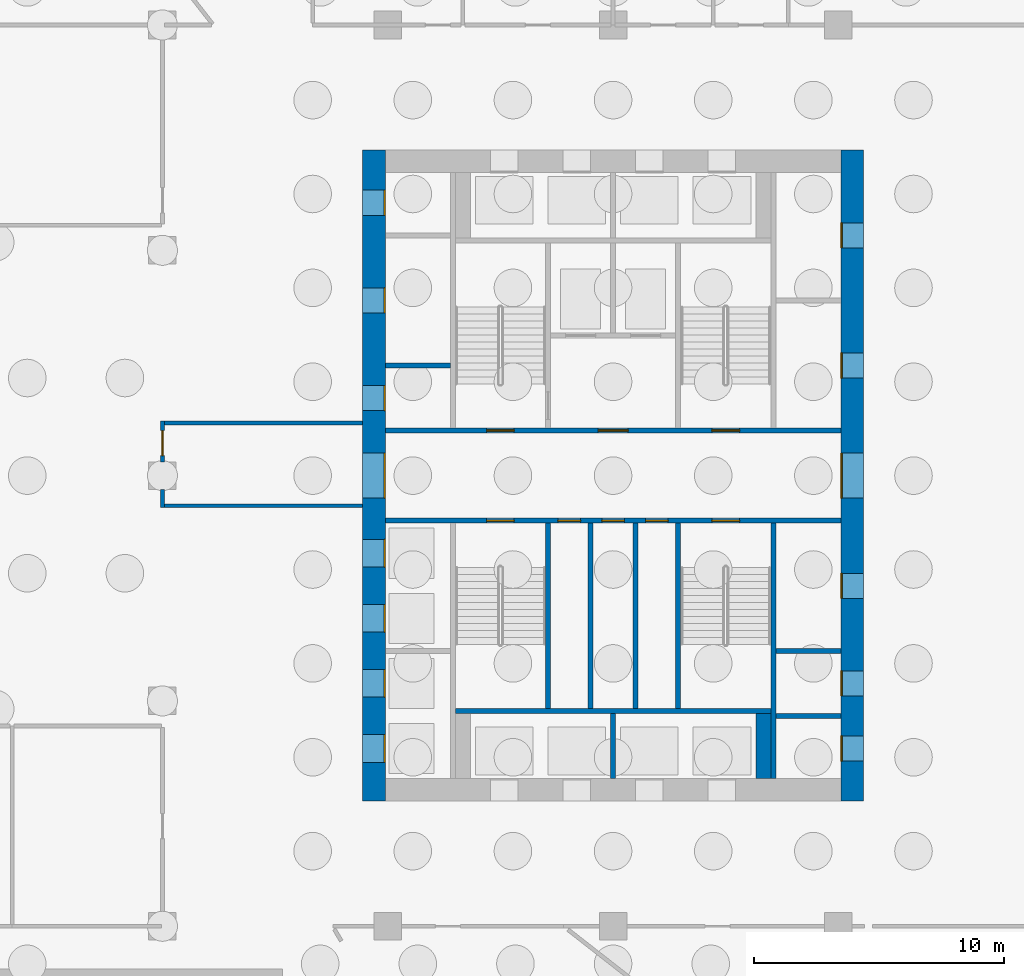
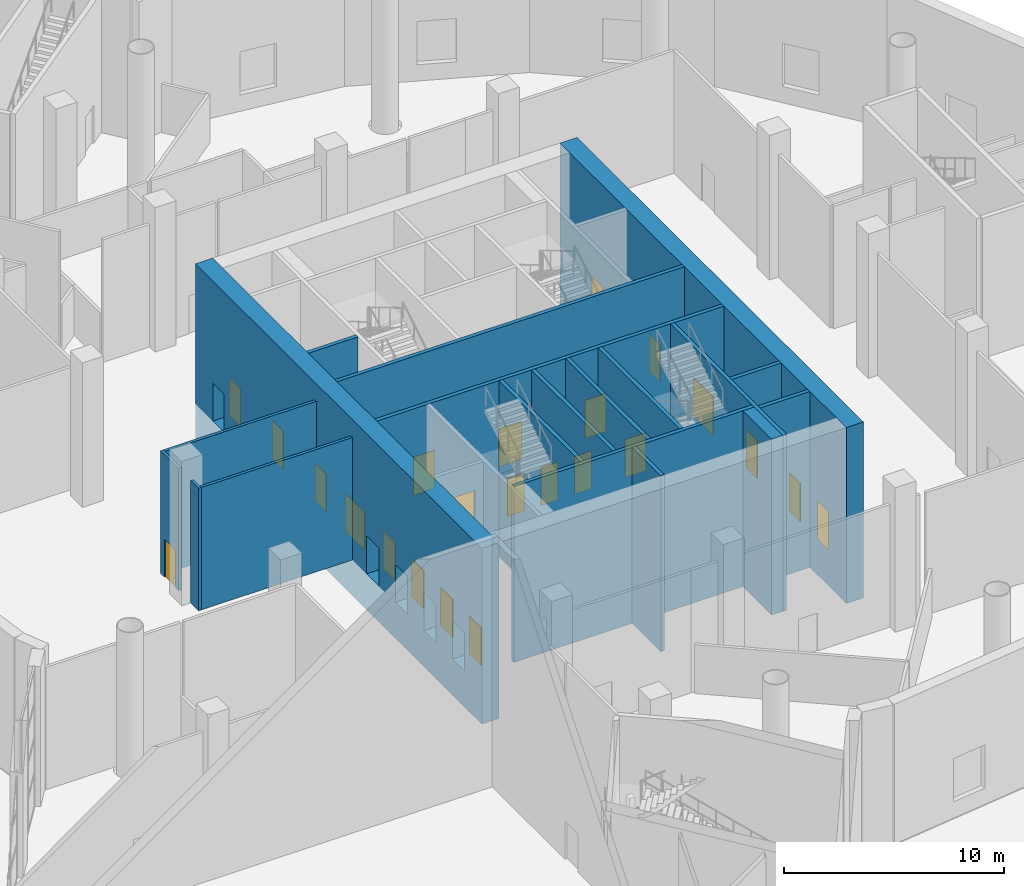
# One storey, part 13 of 34: 23 doors, 19 walls, 23 openings.
"""IFC4 building model written with IfcOpenShell, lengths in metres."""

import ifcopenshell
import ifcopenshell.guid

model = None  # the IFC model being written
_history = None  # IfcOwnerHistory: only IFC2X3 demands one
_inside = {}  # id of a spatial element -> (the spatial element, [elements in it])
_under = {}  # id of a project, library or spatial element -> (it, [spatial elements below it])
_declared = {}  # id of a project -> (the project, [libraries it declares])
_typed = {}  # id of a type object -> (the type object, [elements of that type])
_made_of = {}  # id of a material, layer set ... -> (it, [elements and type objects made of it])


def new_model(schema):
    """Start an empty IFC model of exactly this schema.

    Asked for "IFC4X3", IfcOpenShell would pick the latest addendum, in which some entities
    have other attributes; the version numbers below select the first issue.
    IFC2X3 requires an IfcOwnerHistory on every rooted entity: one is made here for all.
    """
    global model, _history
    if schema == "IFC4X3":
        model = ifcopenshell.file(schema_version=(4, 3, 0, 0))
    else:
        model = ifcopenshell.file(schema=schema)
    _inside.clear()
    _under.clear()
    _declared.clear()
    _typed.clear()
    _made_of.clear()
    _history = None
    if model.schema == "IFC2X3":
        org = make("IfcOrganization", Name="unknown")
        user = make(
            "IfcPersonAndOrganization",
            ThePerson=make("IfcPerson", FamilyName="unknown"),
            TheOrganization=org,
        )
        app = make(
            "IfcApplication",
            ApplicationDeveloper=org,
            Version="unknown",
            ApplicationFullName="unknown",
            ApplicationIdentifier="unknown",
        )
        _history = make(
            "IfcOwnerHistory",
            OwningUser=user,
            OwningApplication=app,
            ChangeAction="ADDED",
            CreationDate=0,
        )
    return model


def make(cls, **values):
    """One entity of the class cls with the attributes given. An attribute that is None is left unset."""
    return model.create_entity(
        cls, **{name: value for name, value in values.items() if value is not None}
    )


def rooted(cls, **values):
    """An entity with a GlobalId (a new one), such as an element, a storey or a relation."""
    return make(cls, GlobalId=ifcopenshell.guid.new(), OwnerHistory=_history, **values)


def si_unit(unit_type, name, prefix=None):
    """IfcSIUnit, for example si_unit("LENGTHUNIT", "METRE", prefix="MILLI")."""
    return make("IfcSIUnit", UnitType=unit_type, Prefix=prefix, Name=name)


def assignment(units):
    """IfcUnitAssignment: the units of a project."""
    return None if units is None else make("IfcUnitAssignment", Units=units)


def point(xyz):
    """IfcCartesianPoint."""
    return None if xyz is None else make("IfcCartesianPoint", Coordinates=xyz)


def direction(xyz):
    """IfcDirection."""
    return None if xyz is None else make("IfcDirection", DirectionRatios=xyz)


def frame(location, z_axis=None, x_axis=None):
    """IfcAxis2Placement3D, a coordinate frame: its origin and axes. An axis left out is left unset."""
    return make(
        "IfcAxis2Placement3D",
        Location=point(location),
        Axis=direction(z_axis),
        RefDirection=direction(x_axis),
    )


def frame_2d(location, x_axis=None):
    """IfcAxis2Placement2D, a coordinate frame in the plane: its origin and x axis."""
    return make(
        "IfcAxis2Placement2D", Location=point(location), RefDirection=direction(x_axis)
    )


def origin():
    """The frame at (0, 0, 0) with its axes left unset."""
    return frame((0.0, 0.0, 0.0))


def place(relative_to, where):
    """IfcLocalPlacement: puts the frame where relative to a parent placement (None: the world)."""
    return make(
        "IfcLocalPlacement", PlacementRelTo=relative_to, RelativePlacement=where
    )


def context(
    kind, dimensions, precision=None, world=None, true_north=None, identifier=None
):
    """IfcGeometricRepresentationContext, for example the 3D "Model" context."""
    return make(
        "IfcGeometricRepresentationContext",
        ContextIdentifier=identifier,
        ContextType=kind,
        CoordinateSpaceDimension=dimensions,
        Precision=precision,
        WorldCoordinateSystem=world,
        TrueNorth=true_north,
    )


def subcontext(parent, identifier, kind, view, scale=None):
    """IfcGeometricRepresentationSubContext, for example "Body" below "Model"."""
    return make(
        "IfcGeometricRepresentationSubContext",
        ContextIdentifier=identifier,
        ContextType=kind,
        ParentContext=parent,
        TargetScale=scale,
        TargetView=view,
    )


def project(units=None, contexts=None):
    """IfcProject with its units and contexts."""
    return rooted(
        "IfcProject",
        Name="project",
        RepresentationContexts=contexts,
        UnitsInContext=assignment(units),
    )


def spatial(cls, under=None, at=None, **own):
    """A site, building, storey or space (cls), placed at a placement, below another one or the project."""
    s = rooted(cls, ObjectPlacement=at, **own)
    if under is not None:
        _under.setdefault(under.id(), (under, []))[1].append(s)
    return s


def profile(cls, at=None, kind="AREA", **sizes):
    """A parametric profile (cls). Its sizes go by their IFC names, for example OverallWidth=200.0."""
    return make(cls, ProfileType=kind, Position=at, **sizes)


def rectangle(**sizes):
    """IfcRectangleProfileDef."""
    return profile("IfcRectangleProfileDef", **sizes)


def extrude(swept, where, along, depth):
    """IfcExtrudedAreaSolid: the profile swept, set in the frame where, extruded along a direction by depth."""
    return make(
        "IfcExtrudedAreaSolid",
        SweptArea=swept,
        Position=where,
        ExtrudedDirection=direction(along),
        Depth=depth,
    )


def shape(context_of_items, identifier, shape_type, items):
    """IfcShapeRepresentation: the items that make up one representation, for example the "Body"."""
    return make(
        "IfcShapeRepresentation",
        ContextOfItems=context_of_items,
        RepresentationIdentifier=identifier,
        RepresentationType=shape_type,
        Items=items,
    )


def material(Name=None, Category=None):
    """IfcMaterial."""
    return make("IfcMaterial", Name=Name, Category=Category)


def layer(
    of_material, thickness, ventilated=None, Name=None, Category=None, Priority=None
):
    """IfcMaterialLayer: one layer of a wall or slab, of a material (None: an air gap)."""
    return make(
        "IfcMaterialLayer",
        Material=of_material,
        LayerThickness=thickness,
        IsVentilated=ventilated,
        Name=Name,
        Category=Category,
        Priority=Priority,
    )


def layer_set(layers, Name=None):
    """IfcMaterialLayerSet."""
    return make("IfcMaterialLayerSet", MaterialLayers=layers, LayerSetName=Name)


def made_of(thing, what):
    """Note that an element or type object is made of a material, layer set ...; save() writes the relation."""
    if what is not None:
        _made_of.setdefault(what.id(), (what, []))[1].append(thing)
    return thing


def type_object(cls, material=None, **own):
    """A type object (cls), such as IfcWallType, which elements share."""
    return made_of(rooted(cls, **own), material)


def element(
    cls,
    number,
    at=None,
    inside=None,
    cuts=None,
    type_object=None,
    material=None,
    context=None,
    identifier="Body",
    shape_type=None,
    held_by="IfcProductDefinitionShape",
    body=None,
    shapes=None,
    **own,
):
    """One element of the class cls, such as IfcWall. Its Tag is "e" and its number.

    at: its placement. inside: the storey or other place that contains it. cuts: it is an
    opening in that element (IfcRelVoidsElement). A single representation is given by context,
    identifier, shape_type and body (its items); several are given by shapes. held_by: the class
    of the entity that holds the representations. save() writes the other relations.
    """
    e = rooted(cls, Tag="e%d" % number, ObjectPlacement=at, **own)
    if body is not None:
        shapes = [shape(context, identifier, shape_type, body)]
    if shapes is not None:
        e.Representation = make(held_by, Representations=shapes)
    if inside is not None:
        _inside.setdefault(inside.id(), (inside, []))[1].append(e)
    if cuts is not None:
        rooted(
            "IfcRelVoidsElement", RelatingBuildingElement=cuts, RelatedOpeningElement=e
        )
    if type_object is not None:
        _typed.setdefault(type_object.id(), (type_object, []))[1].append(e)
    return made_of(e, material)


def fill(opening, filler):
    """IfcRelFillsElement: the door or window that sits in an opening."""
    return rooted(
        "IfcRelFillsElement",
        RelatingOpeningElement=opening,
        RelatedBuildingElement=filler,
    )


def aggregate(whole, parts):
    """IfcRelAggregates: a whole, such as a stair, and the parts it consists of."""
    return rooted("IfcRelAggregates", RelatingObject=whole, RelatedObjects=parts)


def save(model, path):
    """Write the relations noted so far, then the file.

    IfcRelAggregates (storeys below a building ...), IfcRelContainedInSpatialStructure (elements
    in a storey), IfcRelDefinesByType, IfcRelAssociatesMaterial and IfcRelDeclares: one each for
    every whole, place, type object, material and project.
    """
    for whole, parts in _under.values():
        aggregate(whole, parts)
    for where, things in _inside.values():
        rooted(
            "IfcRelContainedInSpatialStructure",
            RelatedElements=things,
            RelatingStructure=where,
        )
    for kind, things in _typed.values():
        rooted("IfcRelDefinesByType", RelatedObjects=things, RelatingType=kind)
    for what, things in _made_of.values():
        rooted("IfcRelAssociatesMaterial", RelatedObjects=things, RelatingMaterial=what)
    for by, libraries in _declared.values():
        rooted("IfcRelDeclares", RelatingContext=by, RelatedDefinitions=libraries)
    model.write(path)


model = new_model("IFC4")

# Units and contexts
model_context = context("Model", 3, precision=1e-05, world=origin(), true_north=direction((0.0, 1.0)))
body_context = subcontext(model_context, "Body", "Model", "MODEL_VIEW")
ifc_project = project(units=[si_unit("LENGTHUNIT", "METRE"), si_unit("AREAUNIT", "SQUARE_METRE"), si_unit("VOLUMEUNIT", "CUBIC_METRE"), si_unit("PLANEANGLEUNIT", "RADIAN"), si_unit("MASSUNIT", "GRAM", prefix="KILO")], contexts=[model_context])

# Site, building, storey
site_placement = place(None, origin())
site = spatial("IfcSite", under=ifc_project, at=site_placement, CompositionType="ELEMENT")
building_placement = place(site_placement, origin())
building = spatial("IfcBuilding", under=site, at=building_placement, Name="Tarsis Ring Headquarters", CompositionType="ELEMENT")
storey_placement = place(building_placement, origin())
storey = spatial("IfcBuildingStorey", under=building, at=storey_placement, Name="L00", CompositionType="ELEMENT", Elevation=0.0)

# Walls
ifc_material_1 = material(Name="Blockwork", Category="masonry")
ifc_layer_1 = layer(ifc_material_1, 0.199951171875)
ifc_layer_set_1 = layer_set([ifc_layer_1], Name="Core blockwork wall 200")
wall_type_1 = type_object("IfcWallType", Name="Core blockwork wall 200", PredefinedType="PARTITIONING", material=ifc_layer_set_1)
for number, where, z_axis, x_axis, name in (
    (1, (-9.10009765625, 4.39990234375, -2.0), (0.0, 0.0, 1.0), (1.0, 0.0, 0.0), "Core partition WD5"),
    (2, (6.5, -9.60009765625, -2.0), (0.0, 0.0, 1.0), (1.0, 0.0, 0.0), "Core partition ED1"),
    (3, (6.5, -7.0, -2.0), (0.0, 0.0, 1.0), (1.0, 0.0, 0.0), "Core partition ED2"),
):
    element("IfcWall", number, at=place(storey_placement, frame(where, z_axis=z_axis, x_axis=x_axis)), inside=storey, type_object=wall_type_1, Name=name, PredefinedType="PARTITIONING", context=body_context, shape_type="SweptSolid", body=[
        extrude(rectangle(XDim=2.60009765625, YDim=0.199951171875, at=frame_2d((1.300048828125, 0.0))), origin(), (0.0, 0.0, 1.0), 9.75),
    ])
for number, where, z_axis, x_axis, name in (
    (4, (-0.89990234375, -9.300048828125, -2.0), (0.0, 0.0, 1.0), (0.0, 1.0, 0.0), "Core partition SV1"),
    (5, (0.89990234375, -9.300048828125, -2.0), (0.0, 0.0, 1.0), (0.0, 1.0, 0.0), "Core partition SV2"),
):
    element("IfcWall", number, at=place(storey_placement, frame(where, z_axis=z_axis, x_axis=x_axis)), inside=storey, type_object=wall_type_1, Name=name, PredefinedType="PARTITIONING", context=body_context, shape_type="SweptSolid", body=[
        extrude(rectangle(XDim=7.400146484375, YDim=0.199951171875, at=frame_2d((3.7001953125, 0.0))), origin(), (0.0, 0.0, 1.0), 9.75),
    ])

# Wall, openings, doors
ifc_material_2 = material(Name="Concrete C60/75", Category="concrete")
ifc_layer_2 = layer(ifc_material_2, 0.89990234375)
ifc_layer_set_2 = layer_set([ifc_layer_2], Name="Core wall 900 C60/75")
wall_type_2 = type_object("IfcWallType", Name="Core wall 900 C60/75", PredefinedType="SHEAR", material=ifc_layer_set_2)
wall_1_placement = place(storey_placement, frame((-9.550048828125, -13.0, -2.0), z_axis=(0.0, 0.0, 1.0), x_axis=(0.0, 1.0, 0.0)))
wall_1 = element("IfcWall", 6, at=wall_1_placement, inside=storey, type_object=wall_type_2, Name="Core wall OW", PredefinedType="SHEAR", context=body_context, shape_type="SweptSolid", body=[
    extrude(rectangle(XDim=26.0, YDim=0.89990234375, at=frame_2d((13.0, 0.0))), origin(), (0.0, 0.0, 1.0), 9.75),
])
opening_1_placement = place(wall_1_placement, frame((1.550048828125, 0.0, 2.0)))
opening_1 = element("IfcOpeningElement", 7, at=opening_1_placement, cuts=wall_1, Name="Opening LD-LR1", PredefinedType="OPENING", context=body_context, shape_type="SweptSolid", body=[
    extrude(rectangle(XDim=1.10009765625, YDim=2.10009765625, at=frame_2d((0.550048828125, 1.050048828125))), frame((0.0, 0.4599609375, 0.0), z_axis=(0.0, -1.0, 0.0), x_axis=(1.0, 0.0, 0.0)), (0.0, 0.0, 1.0), 0.919921875),
])
opening_2_placement = place(wall_1_placement, frame((4.14990234375, 0.0, 2.0)))
opening_2 = element("IfcOpeningElement", 8, at=opening_2_placement, cuts=wall_1, Name="Opening LD-LR2", PredefinedType="OPENING", context=body_context, shape_type="SweptSolid", body=[
    extrude(rectangle(XDim=1.10009765625, YDim=2.10009765625, at=frame_2d((0.550048828125, 1.050048828125))), frame((0.0, 0.4599609375, 0.0), z_axis=(0.0, -1.0, 0.0), x_axis=(1.0, 0.0, 0.0)), (0.0, 0.0, 1.0), 0.919921875),
])
opening_3_placement = place(wall_1_placement, frame((6.75, 0.0, 2.0)))
opening_3 = element("IfcOpeningElement", 9, at=opening_3_placement, cuts=wall_1, Name="Opening LD-LR3", PredefinedType="OPENING", context=body_context, shape_type="SweptSolid", body=[
    extrude(rectangle(XDim=1.10009765625, YDim=2.10009765625, at=frame_2d((0.550048828125, 1.050048828125))), frame((0.0, 0.4599609375, 0.0), z_axis=(0.0, -1.0, 0.0), x_axis=(1.0, 0.0, 0.0)), (0.0, 0.0, 1.0), 0.919921875),
])
opening_4_placement = place(wall_1_placement, frame((9.35009765625, 0.0, 2.0)))
opening_4 = element("IfcOpeningElement", 10, at=opening_4_placement, cuts=wall_1, Name="Opening LD-LR4", PredefinedType="OPENING", context=body_context, shape_type="SweptSolid", body=[
    extrude(rectangle(XDim=1.10009765625, YDim=2.10009765625, at=frame_2d((0.550048828125, 1.050048828125))), frame((0.0, 0.4599609375, 0.0), z_axis=(0.0, -1.0, 0.0), x_axis=(1.0, 0.0, 0.0)), (0.0, 0.0, 1.0), 0.919921875),
])
opening_5_placement = place(wall_1_placement, frame((12.10009765625, 0.0, 2.0)))
opening_5 = element("IfcOpeningElement", 11, at=opening_5_placement, cuts=wall_1, Name="Opening L00-C05", PredefinedType="OPENING", context=body_context, shape_type="SweptSolid", body=[
    extrude(rectangle(XDim=1.800048828125, YDim=2.10009765625, at=frame_2d((0.89990234375, 1.050048828125))), frame((0.0, 0.4599609375, 0.0), z_axis=(0.0, -1.0, 0.0), x_axis=(1.0, 0.0, 0.0)), (0.0, 0.0, 1.0), 0.919921875),
])
opening_6_placement = place(wall_1_placement, frame((15.60009765625, 0.0, 2.0)))
opening_6 = element("IfcOpeningElement", 12, at=opening_6_placement, cuts=wall_1, Name="Opening L00-C06", PredefinedType="OPENING", context=body_context, shape_type="SweptSolid", body=[
    extrude(rectangle(XDim=1.0, YDim=2.10009765625, at=frame_2d((0.5, 1.050048828125))), frame((0.0, 0.4599609375, 0.0), z_axis=(0.0, -1.0, 0.0), x_axis=(1.0, 0.0, 0.0)), (0.0, 0.0, 1.0), 0.919921875),
])
opening_7_placement = place(wall_1_placement, frame((19.5, 0.0, 2.0)))
opening_7 = element("IfcOpeningElement", 13, at=opening_7_placement, cuts=wall_1, Name="Opening L00-C07", PredefinedType="OPENING", context=body_context, shape_type="SweptSolid", body=[
    extrude(rectangle(XDim=1.0, YDim=2.10009765625, at=frame_2d((0.5, 1.050048828125))), frame((0.0, 0.4599609375, 0.0), z_axis=(0.0, -1.0, 0.0), x_axis=(1.0, 0.0, 0.0)), (0.0, 0.0, 1.0), 0.919921875),
])
opening_8_placement = place(wall_1_placement, frame((23.39990234375, 0.0, 2.0)))
opening_8 = element("IfcOpeningElement", 14, at=opening_8_placement, cuts=wall_1, Name="Opening L00-C08", PredefinedType="OPENING", context=body_context, shape_type="SweptSolid", body=[
    extrude(rectangle(XDim=1.0, YDim=2.10009765625, at=frame_2d((0.5, 1.050048828125))), frame((0.0, 0.4599609375, 0.0), z_axis=(0.0, -1.0, 0.0), x_axis=(1.0, 0.0, 0.0)), (0.0, 0.0, 1.0), 0.919921875),
])
ifc_material_3 = material(Name="Steel S355", Category="steel")
door_type_1 = type_object("IfcDoorType", Name="Core entry door 1800x2100", OperationType="DOUBLE_DOOR_SINGLE_SWING", PredefinedType="DOOR", material=ifc_material_3)
door_1_placement = place(opening_5_placement, origin())
door_1 = element("IfcDoor", 15, at=door_1_placement, inside=storey, type_object=door_type_1, Name="Core entry door L00", OperationType="DOUBLE_DOOR_SINGLE_SWING", OverallHeight=2.10009765625, OverallWidth=1.800048828125, PredefinedType="DOOR", context=body_context, shape_type="SweptSolid", body=[
    extrude(rectangle(XDim=1.800048828125, YDim=2.10009765625, at=frame_2d((0.89990234375, 1.050048828125))), frame((0.0, -0.39990234375, 0.0), z_axis=(0.0, -1.0, 0.0), x_axis=(1.0, 0.0, 0.0)), (0.0, 0.0, 1.0), 0.050048828125),
])
fill(opening_5, door_1)
door_type_2 = type_object("IfcDoorType", Name="Core room door 1000x2100", OperationType="SINGLE_SWING_LEFT", PredefinedType="DOOR", material=ifc_material_3)
door_2_placement = place(opening_6_placement, origin())
door_2 = element("IfcDoor", 16, at=door_2_placement, inside=storey, type_object=door_type_2, Name="Core room door L00", OperationType="SINGLE_SWING_LEFT", OverallHeight=2.10009765625, OverallWidth=1.0, PredefinedType="DOOR", context=body_context, shape_type="SweptSolid", body=[
    extrude(rectangle(XDim=1.0, YDim=2.10009765625, at=frame_2d((0.5, 1.050048828125))), frame((0.0, -0.39990234375, 0.0), z_axis=(0.0, -1.0, 0.0), x_axis=(1.0, 0.0, 0.0)), (0.0, 0.0, 1.0), 0.050048828125),
])
fill(opening_6, door_2)
door_3_placement = place(opening_7_placement, origin())
door_3 = element("IfcDoor", 17, at=door_3_placement, inside=storey, type_object=door_type_2, Name="Core room door L00", OperationType="SINGLE_SWING_LEFT", OverallHeight=2.10009765625, OverallWidth=1.0, PredefinedType="DOOR", context=body_context, shape_type="SweptSolid", body=[
    extrude(rectangle(XDim=1.0, YDim=2.10009765625, at=frame_2d((0.5, 1.050048828125))), frame((0.0, -0.39990234375, 0.0), z_axis=(0.0, -1.0, 0.0), x_axis=(1.0, 0.0, 0.0)), (0.0, 0.0, 1.0), 0.050048828125),
])
fill(opening_7, door_3)
door_4_placement = place(opening_8_placement, origin())
door_4 = element("IfcDoor", 18, at=door_4_placement, inside=storey, type_object=door_type_2, Name="Core room door L00", OperationType="SINGLE_SWING_LEFT", OverallHeight=2.10009765625, OverallWidth=1.0, PredefinedType="DOOR", context=body_context, shape_type="SweptSolid", body=[
    extrude(rectangle(XDim=1.0, YDim=2.10009765625, at=frame_2d((0.5, 1.050048828125))), frame((0.0, -0.39990234375, 0.0), z_axis=(0.0, -1.0, 0.0), x_axis=(1.0, 0.0, 0.0)), (0.0, 0.0, 1.0), 0.050048828125),
])
fill(opening_8, door_4)
door_type_3 = type_object("IfcDoorType", Name="Landing door 1100x2100", OperationType="SLIDING_TO_LEFT", PredefinedType="DOOR", material=ifc_material_3)
door_5_placement = place(opening_1_placement, origin())
door_5 = element("IfcDoor", 19, at=door_5_placement, inside=storey, type_object=door_type_3, Name="Landing door LR1 L00", OperationType="SLIDING_TO_LEFT", OverallHeight=2.10009765625, OverallWidth=1.10009765625, PredefinedType="DOOR", context=body_context, shape_type="SweptSolid", body=[
    extrude(rectangle(XDim=1.10009765625, YDim=2.10009765625, at=frame_2d((0.550048828125, 1.050048828125))), frame((0.0, -0.39990234375, 0.0), z_axis=(0.0, -1.0, 0.0), x_axis=(1.0, 0.0, 0.0)), (0.0, 0.0, 1.0), 0.050048828125),
])
fill(opening_1, door_5)
door_6_placement = place(opening_2_placement, origin())
door_6 = element("IfcDoor", 20, at=door_6_placement, inside=storey, type_object=door_type_3, Name="Landing door LR2 L00", OperationType="SLIDING_TO_LEFT", OverallHeight=2.10009765625, OverallWidth=1.10009765625, PredefinedType="DOOR", context=body_context, shape_type="SweptSolid", body=[
    extrude(rectangle(XDim=1.10009765625, YDim=2.10009765625, at=frame_2d((0.550048828125, 1.050048828125))), frame((0.0, -0.39990234375, 0.0), z_axis=(0.0, -1.0, 0.0), x_axis=(1.0, 0.0, 0.0)), (0.0, 0.0, 1.0), 0.050048828125),
])
fill(opening_2, door_6)
door_7_placement = place(opening_3_placement, origin())
door_7 = element("IfcDoor", 21, at=door_7_placement, inside=storey, type_object=door_type_3, Name="Landing door LR3 L00", OperationType="SLIDING_TO_LEFT", OverallHeight=2.10009765625, OverallWidth=1.10009765625, PredefinedType="DOOR", context=body_context, shape_type="SweptSolid", body=[
    extrude(rectangle(XDim=1.10009765625, YDim=2.10009765625, at=frame_2d((0.550048828125, 1.050048828125))), frame((0.0, -0.39990234375, 0.0), z_axis=(0.0, -1.0, 0.0), x_axis=(1.0, 0.0, 0.0)), (0.0, 0.0, 1.0), 0.050048828125),
])
fill(opening_3, door_7)
door_8_placement = place(opening_4_placement, origin())
door_8 = element("IfcDoor", 22, at=door_8_placement, inside=storey, type_object=door_type_3, Name="Landing door LR4 L00", OperationType="SLIDING_TO_LEFT", OverallHeight=2.10009765625, OverallWidth=1.10009765625, PredefinedType="DOOR", context=body_context, shape_type="SweptSolid", body=[
    extrude(rectangle(XDim=1.10009765625, YDim=2.10009765625, at=frame_2d((0.550048828125, 1.050048828125))), frame((0.0, -0.39990234375, 0.0), z_axis=(0.0, -1.0, 0.0), x_axis=(1.0, 0.0, 0.0)), (0.0, 0.0, 1.0), 0.050048828125),
])
fill(opening_4, door_8)

wall_2_placement = place(storey_placement, frame((9.550048828125, -13.0, -2.0), z_axis=(0.0, 0.0, 1.0), x_axis=(0.0, 1.0, 0.0)))
wall_2 = element("IfcWall", 23, at=wall_2_placement, inside=storey, type_object=wall_type_2, Name="Core wall OE", PredefinedType="SHEAR", context=body_context, shape_type="SweptSolid", body=[
    extrude(rectangle(XDim=26.0, YDim=0.89990234375, at=frame_2d((13.0, 0.0))), origin(), (0.0, 0.0, 1.0), 9.75),
])
opening_9_placement = place(wall_2_placement, frame((1.60009765625, 0.0, 2.0)))
opening_9 = element("IfcOpeningElement", 24, at=opening_9_placement, cuts=wall_2, Name="Opening L00-C09", PredefinedType="OPENING", context=body_context, shape_type="SweptSolid", body=[
    extrude(rectangle(XDim=1.0, YDim=2.10009765625, at=frame_2d((0.5, 1.050048828125))), frame((0.0, 0.4599609375, 0.0), z_axis=(0.0, -1.0, 0.0), x_axis=(1.0, 0.0, 0.0)), (0.0, 0.0, 1.0), 0.919921875),
])
opening_10_placement = place(wall_2_placement, frame((4.199951171875, 0.0, 2.0)))
opening_10 = element("IfcOpeningElement", 25, at=opening_10_placement, cuts=wall_2, Name="Opening L00-C10", PredefinedType="OPENING", context=body_context, shape_type="SweptSolid", body=[
    extrude(rectangle(XDim=1.0, YDim=2.10009765625, at=frame_2d((0.5, 1.050048828125))), frame((0.0, 0.4599609375, 0.0), z_axis=(0.0, -1.0, 0.0), x_axis=(1.0, 0.0, 0.0)), (0.0, 0.0, 1.0), 0.919921875),
])
opening_11_placement = place(wall_2_placement, frame((8.10009765625, 0.0, 2.0)))
opening_11 = element("IfcOpeningElement", 26, at=opening_11_placement, cuts=wall_2, Name="Opening L00-C11", PredefinedType="OPENING", context=body_context, shape_type="SweptSolid", body=[
    extrude(rectangle(XDim=1.0, YDim=2.10009765625, at=frame_2d((0.5, 1.050048828125))), frame((0.0, 0.4599609375, 0.0), z_axis=(0.0, -1.0, 0.0), x_axis=(1.0, 0.0, 0.0)), (0.0, 0.0, 1.0), 0.919921875),
])
opening_12_placement = place(wall_2_placement, frame((12.10009765625, 0.0, 2.0)))
opening_12 = element("IfcOpeningElement", 27, at=opening_12_placement, cuts=wall_2, Name="Opening L00-C12", PredefinedType="OPENING", context=body_context, shape_type="SweptSolid", body=[
    extrude(rectangle(XDim=1.800048828125, YDim=2.10009765625, at=frame_2d((0.89990234375, 1.050048828125))), frame((0.0, 0.4599609375, 0.0), z_axis=(0.0, -1.0, 0.0), x_axis=(1.0, 0.0, 0.0)), (0.0, 0.0, 1.0), 0.919921875),
])
opening_13_placement = place(wall_2_placement, frame((16.89990234375, 0.0, 2.0)))
opening_13 = element("IfcOpeningElement", 28, at=opening_13_placement, cuts=wall_2, Name="Opening L00-C13", PredefinedType="OPENING", context=body_context, shape_type="SweptSolid", body=[
    extrude(rectangle(XDim=1.0, YDim=2.10009765625, at=frame_2d((0.5, 1.050048828125))), frame((0.0, 0.4599609375, 0.0), z_axis=(0.0, -1.0, 0.0), x_axis=(1.0, 0.0, 0.0)), (0.0, 0.0, 1.0), 0.919921875),
])
opening_14_placement = place(wall_2_placement, frame((22.10009765625, 0.0, 2.0)))
opening_14 = element("IfcOpeningElement", 29, at=opening_14_placement, cuts=wall_2, Name="Opening L00-C14", PredefinedType="OPENING", context=body_context, shape_type="SweptSolid", body=[
    extrude(rectangle(XDim=1.0, YDim=2.10009765625, at=frame_2d((0.5, 1.050048828125))), frame((0.0, 0.4599609375, 0.0), z_axis=(0.0, -1.0, 0.0), x_axis=(1.0, 0.0, 0.0)), (0.0, 0.0, 1.0), 0.919921875),
])
door_9_placement = place(opening_12_placement, origin())
door_9 = element("IfcDoor", 30, at=door_9_placement, inside=storey, type_object=door_type_1, Name="Core entry door L00", OperationType="DOUBLE_DOOR_SINGLE_SWING", OverallHeight=2.10009765625, OverallWidth=1.800048828125, PredefinedType="DOOR", context=body_context, shape_type="SweptSolid", body=[
    extrude(rectangle(XDim=1.800048828125, YDim=2.10009765625, at=frame_2d((0.89990234375, 1.050048828125))), frame((0.0, 0.4501953125, 0.0), z_axis=(0.0, -1.0, 0.0), x_axis=(1.0, 0.0, 0.0)), (0.0, 0.0, 1.0), 0.050048828125),
])
fill(opening_12, door_9)
door_10_placement = place(opening_9_placement, origin())
door_10 = element("IfcDoor", 31, at=door_10_placement, inside=storey, type_object=door_type_2, Name="Core room door L00", OperationType="SINGLE_SWING_LEFT", OverallHeight=2.10009765625, OverallWidth=1.0, PredefinedType="DOOR", context=body_context, shape_type="SweptSolid", body=[
    extrude(rectangle(XDim=1.0, YDim=2.10009765625, at=frame_2d((0.5, 1.050048828125))), frame((0.0, 0.4501953125, 0.0), z_axis=(0.0, -1.0, 0.0), x_axis=(1.0, 0.0, 0.0)), (0.0, 0.0, 1.0), 0.050048828125),
])
fill(opening_9, door_10)
door_11_placement = place(opening_10_placement, origin())
door_11 = element("IfcDoor", 32, at=door_11_placement, inside=storey, type_object=door_type_2, Name="Core room door L00", OperationType="SINGLE_SWING_LEFT", OverallHeight=2.10009765625, OverallWidth=1.0, PredefinedType="DOOR", context=body_context, shape_type="SweptSolid", body=[
    extrude(rectangle(XDim=1.0, YDim=2.10009765625, at=frame_2d((0.5, 1.050048828125))), frame((0.0, 0.4501953125, 0.0), z_axis=(0.0, -1.0, 0.0), x_axis=(1.0, 0.0, 0.0)), (0.0, 0.0, 1.0), 0.050048828125),
])
fill(opening_10, door_11)
door_12_placement = place(opening_11_placement, origin())
door_12 = element("IfcDoor", 33, at=door_12_placement, inside=storey, type_object=door_type_2, Name="Core room door L00", OperationType="SINGLE_SWING_LEFT", OverallHeight=2.10009765625, OverallWidth=1.0, PredefinedType="DOOR", context=body_context, shape_type="SweptSolid", body=[
    extrude(rectangle(XDim=1.0, YDim=2.10009765625, at=frame_2d((0.5, 1.050048828125))), frame((0.0, 0.4501953125, 0.0), z_axis=(0.0, -1.0, 0.0), x_axis=(1.0, 0.0, 0.0)), (0.0, 0.0, 1.0), 0.050048828125),
])
fill(opening_11, door_12)
door_13_placement = place(opening_13_placement, origin())
door_13 = element("IfcDoor", 34, at=door_13_placement, inside=storey, type_object=door_type_2, Name="Core room door L00", OperationType="SINGLE_SWING_LEFT", OverallHeight=2.10009765625, OverallWidth=1.0, PredefinedType="DOOR", context=body_context, shape_type="SweptSolid", body=[
    extrude(rectangle(XDim=1.0, YDim=2.10009765625, at=frame_2d((0.5, 1.050048828125))), frame((0.0, 0.4501953125, 0.0), z_axis=(0.0, -1.0, 0.0), x_axis=(1.0, 0.0, 0.0)), (0.0, 0.0, 1.0), 0.050048828125),
])
fill(opening_13, door_13)
door_14_placement = place(opening_14_placement, origin())
door_14 = element("IfcDoor", 35, at=door_14_placement, inside=storey, type_object=door_type_2, Name="Core room door L00", OperationType="SINGLE_SWING_LEFT", OverallHeight=2.10009765625, OverallWidth=1.0, PredefinedType="DOOR", context=body_context, shape_type="SweptSolid", body=[
    extrude(rectangle(XDim=1.0, YDim=2.10009765625, at=frame_2d((0.5, 1.050048828125))), frame((0.0, 0.4501953125, 0.0), z_axis=(0.0, -1.0, 0.0), x_axis=(1.0, 0.0, 0.0)), (0.0, 0.0, 1.0), 0.050048828125),
])
fill(opening_14, door_14)

# Walls
ifc_material_4 = material(Name="Plasterboard partition")
ifc_layer_3 = layer(ifc_material_4, 0.14990234375)
ifc_layer_set_3 = layer_set([ifc_layer_3], Name="PO-PW150R-6783")
wall_type_3 = type_object("IfcWallType", Name="PO-PW150R-6783", PredefinedType="PARTITIONING", material=ifc_layer_set_3)
for number, where, z_axis, x_axis, name in (
    (36, (-17.925048828125, 2.10009765625, 0.0), (0.0, 0.0, 1.0), (1.0, 0.0, 0.0), "L00 partition wall 103"),
    (37, (-17.925048828125, -1.199951171875, 0.0), (0.0, 0.0, 1.0), (1.0, 0.0, 0.0), "L00 partition wall 104"),
):
    element("IfcWall", number, at=place(storey_placement, frame(where, z_axis=z_axis, x_axis=x_axis)), inside=storey, type_object=wall_type_3, Name=name, PredefinedType="PARTITIONING", context=body_context, shape_type="SweptSolid", body=[
        extrude(rectangle(XDim=7.925048828125, YDim=0.14990234375, at=frame_2d((3.96240234375, 0.0))), origin(), (0.0, 0.0, 1.0), 6.782958984375),
    ])

# Wall, opening, door
wall_3_placement = place(storey_placement, frame((-18.0, 0.550048828125, 0.0), z_axis=(0.0, 0.0, 1.0), x_axis=(0.0, 1.0, 0.0)))
wall_3 = element("IfcWall", 38, at=wall_3_placement, inside=storey, type_object=wall_type_3, Name="L00 partition wall 105", PredefinedType="PARTITIONING", context=body_context, shape_type="SweptSolid", body=[
    extrude(rectangle(XDim=1.625, YDim=0.14990234375, at=frame_2d((0.8125, 0.0))), origin(), (0.0, 0.0, 1.0), 6.782958984375),
])
opening_15_placement = place(wall_3_placement, frame((0.25, 0.0, 0.0)))
opening_15 = element("IfcOpeningElement", 39, at=opening_15_placement, cuts=wall_3, Name="Opening PO-D3A", PredefinedType="OPENING", context=body_context, shape_type="SweptSolid", body=[
    extrude(rectangle(XDim=1.0, YDim=2.10009765625, at=frame_2d((0.5, 1.050048828125))), frame((0.0, 0.0849609375, 0.0), z_axis=(0.0, -1.0, 0.0), x_axis=(1.0, 0.0, 0.0)), (0.0, 0.0, 1.0), 0.169921875),
])
ifc_material_5 = material(Name="Steel fire door", Category="steel")
door_type_4 = type_object("IfcDoorType", Name="PO-D1000F-FD60", OperationType="NOTDEFINED", PredefinedType="DOOR", material=ifc_material_5)
door_15_placement = place(opening_15_placement, origin())
door_15 = element("IfcDoor", 40, at=door_15_placement, inside=storey, type_object=door_type_4, Name="Exit passage door", OperationType="SINGLE_SWING_RIGHT", OverallHeight=2.10009765625, OverallWidth=1.0, PredefinedType="DOOR", context=body_context, shape_type="SweptSolid", body=[
    extrude(rectangle(XDim=1.0, YDim=2.10009765625, at=frame_2d((0.5, 1.050048828125))), frame((0.0, 0.02490234375, 0.0), z_axis=(0.0, -1.0, 0.0), x_axis=(1.0, 0.0, 0.0)), (0.0, 0.0, 1.0), 0.050048828125),
])
fill(opening_15, door_15)

# Walls
wall_4_placement = place(storey_placement, frame((-18.0, -1.27490234375, 0.0), z_axis=(0.0, 0.0, 1.0), x_axis=(0.0, 1.0, 0.0)))
element("IfcWall", 41, at=wall_4_placement, inside=storey, type_object=wall_type_3, Name="L00 partition wall 106", PredefinedType="PARTITIONING", context=body_context, shape_type="SweptSolid", body=[
    extrude(rectangle(XDim=0.724853515625, YDim=0.14990234375, at=frame_2d((0.3623046875, 0.0))), origin(), (0.0, 0.0, 1.0), 6.782958984375),
])
ifc_material_6 = material(Name="Concrete C32/40", Category="concrete")
ifc_layer_4 = layer(ifc_material_6, 0.60009765625)
ifc_layer_set_4 = layer_set([ifc_layer_4], Name="Shaft end wall 600 C32/40")
wall_type_4 = type_object("IfcWallType", Name="Shaft end wall 600 C32/40", PredefinedType="SOLIDWALL", material=ifc_layer_set_4)
wall_5_placement = place(storey_placement, frame((6.0, -12.10009765625, -2.0), z_axis=(0.0, 0.0, 1.0), x_axis=(0.0, 1.0, 0.0)))
element("IfcWall", 42, at=wall_5_placement, inside=storey, type_object=wall_type_4, Name="Core shaft wall SNE2", PredefinedType="SOLIDWALL", context=body_context, shape_type="SweptSolid", body=[
    extrude(rectangle(XDim=2.60009765625, YDim=0.60009765625, at=frame_2d((1.300048828125, 0.0))), origin(), (0.0, 0.0, 1.0), 9.75),
])

# Wall, openings, doors
ifc_layer_5 = layer(ifc_material_6, 0.199951171875)
ifc_layer_set_5 = layer_set([ifc_layer_5], Name="Shaft wall 200 C32/40")
wall_type_5 = type_object("IfcWallType", Name="Shaft wall 200 C32/40", PredefinedType="SOLIDWALL", material=ifc_layer_set_5)
wall_6_placement = place(storey_placement, frame((-9.10009765625, 1.800048828125, -2.0), z_axis=(0.0, 0.0, 1.0), x_axis=(1.0, 0.0, 0.0)))
wall_6 = element("IfcWall", 43, at=wall_6_placement, inside=storey, type_object=wall_type_5, Name="Core shaft wall CN", PredefinedType="SOLIDWALL", context=body_context, shape_type="SweptSolid", body=[
    extrude(rectangle(XDim=18.2001953125, YDim=0.199951171875, at=frame_2d((9.10009765625, 0.0))), origin(), (0.0, 0.0, 1.0), 9.75),
])
opening_16_placement = place(wall_6_placement, frame((4.050048828125, 0.0, 2.0)))
opening_16 = element("IfcOpeningElement", 44, at=opening_16_placement, cuts=wall_6, Name="Opening L00-C23", PredefinedType="OPENING", context=body_context, shape_type="SweptSolid", body=[
    extrude(rectangle(XDim=1.10009765625, YDim=2.10009765625, at=frame_2d((0.550048828125, 1.050048828125))), frame((0.0, 0.10986328125, 0.0), z_axis=(0.0, -1.0, 0.0), x_axis=(1.0, 0.0, 0.0)), (0.0, 0.0, 1.0), 0.219970703125),
])
opening_17_placement = place(wall_6_placement, frame((8.5, 0.0, 2.0)))
opening_17 = element("IfcOpeningElement", 45, at=opening_17_placement, cuts=wall_6, Name="Opening L00-C24", PredefinedType="OPENING", context=body_context, shape_type="SweptSolid", body=[
    extrude(rectangle(XDim=1.199951171875, YDim=2.10009765625, at=frame_2d((0.60009765625, 1.050048828125))), frame((0.0, 0.10986328125, 0.0), z_axis=(0.0, -1.0, 0.0), x_axis=(1.0, 0.0, 0.0)), (0.0, 0.0, 1.0), 0.219970703125),
])
opening_18_placement = place(wall_6_placement, frame((13.050048828125, 0.0, 2.0)))
opening_18 = element("IfcOpeningElement", 46, at=opening_18_placement, cuts=wall_6, Name="Opening L00-C25", PredefinedType="OPENING", context=body_context, shape_type="SweptSolid", body=[
    extrude(rectangle(XDim=1.10009765625, YDim=2.10009765625, at=frame_2d((0.550048828125, 1.050048828125))), frame((0.0, 0.10986328125, 0.0), z_axis=(0.0, -1.0, 0.0), x_axis=(1.0, 0.0, 0.0)), (0.0, 0.0, 1.0), 0.219970703125),
])
door_type_5 = type_object("IfcDoorType", Name="Firefighting lobby door 1200x2100", OperationType="DOUBLE_DOOR_SINGLE_SWING", PredefinedType="DOOR", material=ifc_material_3)
door_16_placement = place(opening_17_placement, origin())
door_16 = element("IfcDoor", 47, at=door_16_placement, inside=storey, type_object=door_type_5, Name="Firefighting lobby door L00", OperationType="DOUBLE_DOOR_SINGLE_SWING", OverallHeight=2.10009765625, OverallWidth=1.199951171875, PredefinedType="DOOR", context=body_context, shape_type="SweptSolid", body=[
    extrude(rectangle(XDim=1.199951171875, YDim=2.10009765625, at=frame_2d((0.60009765625, 1.050048828125))), frame((0.0, 0.02490234375, 0.0), z_axis=(0.0, -1.0, 0.0), x_axis=(1.0, 0.0, 0.0)), (0.0, 0.0, 1.0), 0.050048828125),
])
fill(opening_17, door_16)
door_type_6 = type_object("IfcDoorType", Name="Stair door 1100x2100", OperationType="SINGLE_SWING_LEFT", PredefinedType="DOOR", material=ifc_material_3)
door_17_placement = place(opening_16_placement, origin())
door_17 = element("IfcDoor", 48, at=door_17_placement, inside=storey, type_object=door_type_6, Name="Stair door L00", OperationType="SINGLE_SWING_LEFT", OverallHeight=2.10009765625, OverallWidth=1.10009765625, PredefinedType="DOOR", context=body_context, shape_type="SweptSolid", body=[
    extrude(rectangle(XDim=1.10009765625, YDim=2.10009765625, at=frame_2d((0.550048828125, 1.050048828125))), frame((0.0, 0.02490234375, 0.0), z_axis=(0.0, -1.0, 0.0), x_axis=(1.0, 0.0, 0.0)), (0.0, 0.0, 1.0), 0.050048828125),
])
fill(opening_16, door_17)
door_18_placement = place(opening_18_placement, origin())
door_18 = element("IfcDoor", 49, at=door_18_placement, inside=storey, type_object=door_type_6, Name="Stair door L00", OperationType="SINGLE_SWING_LEFT", OverallHeight=2.10009765625, OverallWidth=1.10009765625, PredefinedType="DOOR", context=body_context, shape_type="SweptSolid", body=[
    extrude(rectangle(XDim=1.10009765625, YDim=2.10009765625, at=frame_2d((0.550048828125, 1.050048828125))), frame((0.0, 0.02490234375, 0.0), z_axis=(0.0, -1.0, 0.0), x_axis=(1.0, 0.0, 0.0)), (0.0, 0.0, 1.0), 0.050048828125),
])
fill(opening_18, door_18)

wall_7_placement = place(storey_placement, frame((-9.10009765625, -1.800048828125, -2.0), z_axis=(0.0, 0.0, 1.0), x_axis=(1.0, 0.0, 0.0)))
wall_7 = element("IfcWall", 50, at=wall_7_placement, inside=storey, type_object=wall_type_5, Name="Core shaft wall CS", PredefinedType="SOLIDWALL", context=body_context, shape_type="SweptSolid", body=[
    extrude(rectangle(XDim=18.2001953125, YDim=0.199951171875, at=frame_2d((9.10009765625, 0.0))), origin(), (0.0, 0.0, 1.0), 9.75),
])
opening_19_placement = place(wall_7_placement, frame((4.050048828125, 0.0, 2.0)))
opening_19 = element("IfcOpeningElement", 51, at=opening_19_placement, cuts=wall_7, Name="Opening L00-C26", PredefinedType="OPENING", context=body_context, shape_type="SweptSolid", body=[
    extrude(rectangle(XDim=1.10009765625, YDim=2.10009765625, at=frame_2d((0.550048828125, 1.050048828125))), frame((0.0, 0.10986328125, 0.0), z_axis=(0.0, -1.0, 0.0), x_axis=(1.0, 0.0, 0.0)), (0.0, 0.0, 1.0), 0.219970703125),
])
opening_20_placement = place(wall_7_placement, frame((6.89990234375, 0.0, 2.0)))
opening_20 = element("IfcOpeningElement", 52, at=opening_20_placement, cuts=wall_7, Name="Opening L00-C27", PredefinedType="OPENING", context=body_context, shape_type="SweptSolid", body=[
    extrude(rectangle(XDim=0.89990234375, YDim=2.10009765625, at=frame_2d((0.449951171875, 1.050048828125))), frame((0.0, 0.10986328125, 0.0), z_axis=(0.0, -1.0, 0.0), x_axis=(1.0, 0.0, 0.0)), (0.0, 0.0, 1.0), 0.219970703125),
])
opening_21_placement = place(wall_7_placement, frame((8.64990234375, 0.0, 2.0)))
opening_21 = element("IfcOpeningElement", 53, at=opening_21_placement, cuts=wall_7, Name="Opening L00-C28", PredefinedType="OPENING", context=body_context, shape_type="SweptSolid", body=[
    extrude(rectangle(XDim=0.89990234375, YDim=2.10009765625, at=frame_2d((0.449951171875, 1.050048828125))), frame((0.0, 0.10986328125, 0.0), z_axis=(0.0, -1.0, 0.0), x_axis=(1.0, 0.0, 0.0)), (0.0, 0.0, 1.0), 0.219970703125),
])
opening_22_placement = place(wall_7_placement, frame((10.39990234375, 0.0, 2.0)))
opening_22 = element("IfcOpeningElement", 54, at=opening_22_placement, cuts=wall_7, Name="Opening L00-C29", PredefinedType="OPENING", context=body_context, shape_type="SweptSolid", body=[
    extrude(rectangle(XDim=0.89990234375, YDim=2.10009765625, at=frame_2d((0.449951171875, 1.050048828125))), frame((0.0, 0.10986328125, 0.0), z_axis=(0.0, -1.0, 0.0), x_axis=(1.0, 0.0, 0.0)), (0.0, 0.0, 1.0), 0.219970703125),
])
opening_23_placement = place(wall_7_placement, frame((13.050048828125, 0.0, 2.0)))
opening_23 = element("IfcOpeningElement", 55, at=opening_23_placement, cuts=wall_7, Name="Opening L00-C30", PredefinedType="OPENING", context=body_context, shape_type="SweptSolid", body=[
    extrude(rectangle(XDim=1.10009765625, YDim=2.10009765625, at=frame_2d((0.550048828125, 1.050048828125))), frame((0.0, 0.10986328125, 0.0), z_axis=(0.0, -1.0, 0.0), x_axis=(1.0, 0.0, 0.0)), (0.0, 0.0, 1.0), 0.219970703125),
])
door_19_placement = place(opening_19_placement, origin())
door_19 = element("IfcDoor", 56, at=door_19_placement, inside=storey, type_object=door_type_6, Name="Stair door L00", OperationType="SINGLE_SWING_LEFT", OverallHeight=2.10009765625, OverallWidth=1.10009765625, PredefinedType="DOOR", context=body_context, shape_type="SweptSolid", body=[
    extrude(rectangle(XDim=1.10009765625, YDim=2.10009765625, at=frame_2d((0.550048828125, 1.050048828125))), frame((0.0, 0.02490234375, 0.0), z_axis=(0.0, -1.0, 0.0), x_axis=(1.0, 0.0, 0.0)), (0.0, 0.0, 1.0), 0.050048828125),
])
fill(opening_19, door_19)
door_20_placement = place(opening_23_placement, origin())
door_20 = element("IfcDoor", 57, at=door_20_placement, inside=storey, type_object=door_type_6, Name="Stair door L00", OperationType="SINGLE_SWING_LEFT", OverallHeight=2.10009765625, OverallWidth=1.10009765625, PredefinedType="DOOR", context=body_context, shape_type="SweptSolid", body=[
    extrude(rectangle(XDim=1.10009765625, YDim=2.10009765625, at=frame_2d((0.550048828125, 1.050048828125))), frame((0.0, 0.02490234375, 0.0), z_axis=(0.0, -1.0, 0.0), x_axis=(1.0, 0.0, 0.0)), (0.0, 0.0, 1.0), 0.050048828125),
])
fill(opening_23, door_20)
door_type_7 = type_object("IfcDoorType", Name="WC door 900x2100", OperationType="SINGLE_SWING_LEFT", PredefinedType="DOOR", material=ifc_material_3)
door_21_placement = place(opening_20_placement, origin())
door_21 = element("IfcDoor", 58, at=door_21_placement, inside=storey, type_object=door_type_7, Name="WC door L00", OperationType="SINGLE_SWING_LEFT", OverallHeight=2.10009765625, OverallWidth=0.89990234375, PredefinedType="DOOR", context=body_context, shape_type="SweptSolid", body=[
    extrude(rectangle(XDim=0.89990234375, YDim=2.10009765625, at=frame_2d((0.449951171875, 1.050048828125))), frame((0.0, 0.02490234375, 0.0), z_axis=(0.0, -1.0, 0.0), x_axis=(1.0, 0.0, 0.0)), (0.0, 0.0, 1.0), 0.050048828125),
])
fill(opening_20, door_21)
door_22_placement = place(opening_21_placement, origin())
door_22 = element("IfcDoor", 59, at=door_22_placement, inside=storey, type_object=door_type_7, Name="WC door L00", OperationType="SINGLE_SWING_LEFT", OverallHeight=2.10009765625, OverallWidth=0.89990234375, PredefinedType="DOOR", context=body_context, shape_type="SweptSolid", body=[
    extrude(rectangle(XDim=0.89990234375, YDim=2.10009765625, at=frame_2d((0.449951171875, 1.050048828125))), frame((0.0, 0.02490234375, 0.0), z_axis=(0.0, -1.0, 0.0), x_axis=(1.0, 0.0, 0.0)), (0.0, 0.0, 1.0), 0.050048828125),
])
fill(opening_21, door_22)
door_23_placement = place(opening_22_placement, origin())
door_23 = element("IfcDoor", 60, at=door_23_placement, inside=storey, type_object=door_type_7, Name="WC door L00", OperationType="SINGLE_SWING_LEFT", OverallHeight=2.10009765625, OverallWidth=0.89990234375, PredefinedType="DOOR", context=body_context, shape_type="SweptSolid", body=[
    extrude(rectangle(XDim=0.89990234375, YDim=2.10009765625, at=frame_2d((0.449951171875, 1.050048828125))), frame((0.0, 0.02490234375, 0.0), z_axis=(0.0, -1.0, 0.0), x_axis=(1.0, 0.0, 0.0)), (0.0, 0.0, 1.0), 0.050048828125),
])
fill(opening_22, door_23)

# Walls
wall_8_placement = place(storey_placement, frame((6.39990234375, -12.10009765625, -2.0), z_axis=(0.0, 0.0, 1.0), x_axis=(0.0, 1.0, 0.0)))
element("IfcWall", 61, at=wall_8_placement, inside=storey, type_object=wall_type_5, Name="Core shaft wall EB1", PredefinedType="SOLIDWALL", context=body_context, shape_type="SweptSolid", body=[
    extrude(rectangle(XDim=10.2001953125, YDim=0.199951171875, at=frame_2d((5.10009765625, 0.0))), origin(), (0.0, 0.0, 1.0), 9.75),
])
wall_9_placement = place(storey_placement, frame((-6.300048828125, -9.39990234375, -2.0), z_axis=(0.0, 0.0, 1.0), x_axis=(1.0, 0.0, 0.0)))
element("IfcWall", 62, at=wall_9_placement, inside=storey, type_object=wall_type_5, Name="Core shaft wall SB", PredefinedType="SOLIDWALL", context=body_context, shape_type="SweptSolid", body=[
    extrude(rectangle(XDim=12.60009765625, YDim=0.199951171875, at=frame_2d((6.300048828125, 0.0))), origin(), (0.0, 0.0, 1.0), 9.75),
])
for number, where, z_axis, x_axis, name in (
    (63, (-2.60009765625, -9.300048828125, -2.0), (0.0, 0.0, 1.0), (0.0, 1.0, 0.0), "Core shaft wall SW3"),
    (64, (2.60009765625, -9.300048828125, -2.0), (0.0, 0.0, 1.0), (0.0, 1.0, 0.0), "Core shaft wall SW4"),
):
    element("IfcWall", number, at=place(storey_placement, frame(where, z_axis=z_axis, x_axis=x_axis)), inside=storey, type_object=wall_type_5, Name=name, PredefinedType="SOLIDWALL", context=body_context, shape_type="SweptSolid", body=[
        extrude(rectangle(XDim=7.400146484375, YDim=0.199951171875, at=frame_2d((3.7001953125, 0.0))), origin(), (0.0, 0.0, 1.0), 9.75),
    ])
wall_10_placement = place(storey_placement, frame((0.0, -12.10009765625, -2.0), z_axis=(0.0, 0.0, 1.0), x_axis=(0.0, 1.0, 0.0)))
element("IfcWall", 65, at=wall_10_placement, inside=storey, type_object=wall_type_5, Name="Core shaft wall SD2", PredefinedType="SOLIDWALL", context=body_context, shape_type="SweptSolid", body=[
    extrude(rectangle(XDim=2.60009765625, YDim=0.199951171875, at=frame_2d((1.300048828125, 0.0))), origin(), (0.0, 0.0, 1.0), 9.75),
])

save(model, "model.ifc")
